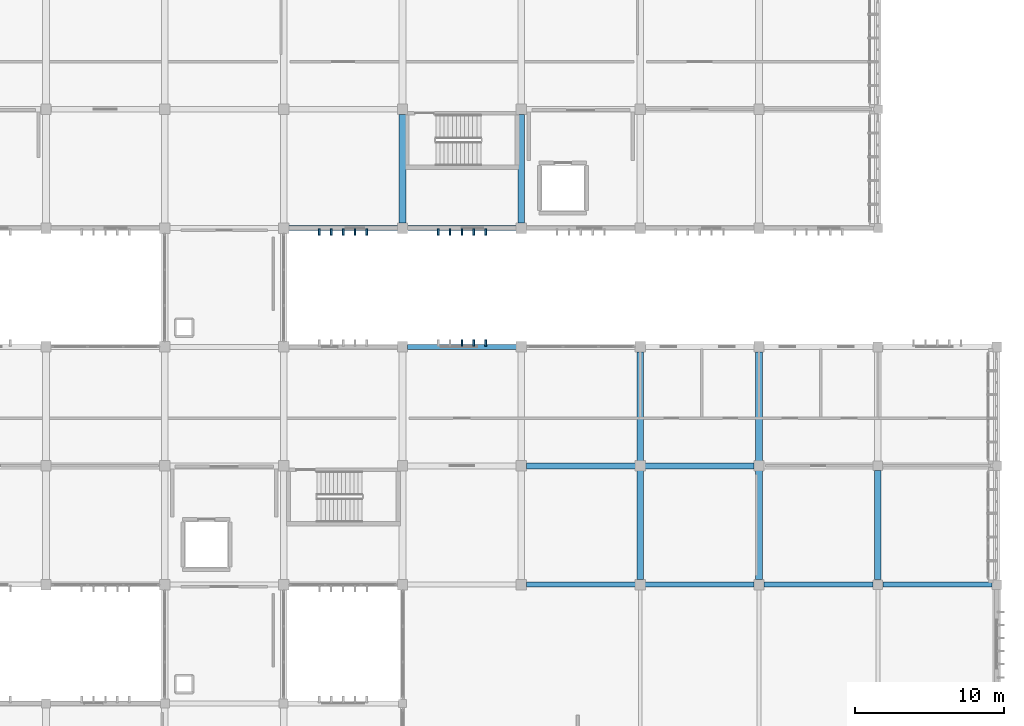
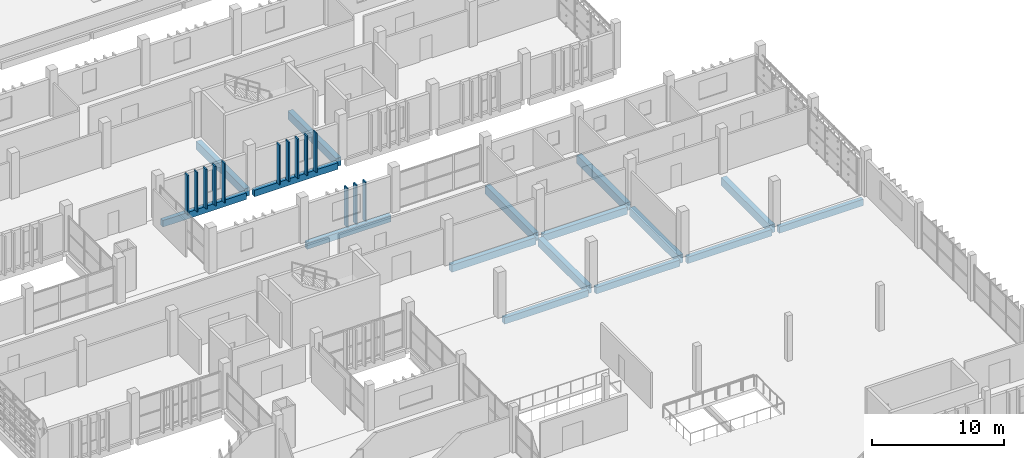
# One storey, part 61 of 137: 16 beams, 13 members.
"""IFC4 building model written with IfcOpenShell, lengths in metres."""

from ifc_helpers import new_model, si_unit, direction, frame, origin, origin_2d, place, context, subcontext, project, spatial, rectangle, extrude, material, material_profile, profile_set, type_object, element, save


model = new_model("IFC4")

# Units and contexts
model_context = context("Model", 3, precision=1e-05, world=origin(), true_north=direction((0.0, 1.0)))
body_context = subcontext(model_context, "Body", "Model", "MODEL_VIEW")
ifc_project = project(units=[si_unit("LENGTHUNIT", "METRE"), si_unit("AREAUNIT", "SQUARE_METRE"), si_unit("VOLUMEUNIT", "CUBIC_METRE"), si_unit("PLANEANGLEUNIT", "RADIAN"), si_unit("MASSUNIT", "GRAM", prefix="KILO")], contexts=[model_context])

# Site, building, storey
site_placement = place(None, origin())
site = spatial("IfcSite", under=ifc_project, at=site_placement, CompositionType="ELEMENT")
building_placement = place(site_placement, origin())
building = spatial("IfcBuilding", under=site, at=building_placement, Name="Jelvoka-Kovrelna Polytechnic", CompositionType="ELEMENT")
storey_placement = place(building_placement, frame((0.0, 0.0, 9.60009765625)))
storey = spatial("IfcBuildingStorey", under=building, at=storey_placement, Name="L03", CompositionType="ELEMENT", Elevation=9.60009765625)

# Beams
ifc_material_1 = material(Name="Concrete C40/50", Category="concrete")
ifc_material_profile_1 = material_profile(ifc_material_1, rectangle(XDim=0.39990234375, YDim=0.64990234375, at=origin_2d()), Name="RC 400x650")
ifc_profile_set_1 = profile_set([ifc_material_profile_1], Name="Concrete C40/50")
beam_type_1 = type_object("IfcBeamType", Name="Beam_RC_400x650", PredefinedType="BEAM", material=ifc_profile_set_1)
for number, where, z_axis, x_axis, name in (
    (1, (168.330078125, 40.0, -0.590087890625), (1.0, 0.0, 0.0), (0.0, 1.0, 0.0), "L03 beam 0971"),
    (2, (176.330078125, 40.0, -0.590087890625), (1.0, 0.0, 0.0), (0.0, 1.0, 0.0), "L03 beam 0972"),
):
    element("IfcBeam", number, at=place(storey_placement, frame(where, z_axis=z_axis, x_axis=x_axis)), inside=storey, type_object=beam_type_1, Name=name, PredefinedType="BEAM", context=body_context, shape_type="SweptSolid", body=[
        extrude(rectangle(XDim=0.39990234375, YDim=0.64990234375, at=origin_2d()), origin(), (0.0, 0.0, 1.0), 7.33984375),
    ])
ifc_material_2 = material(Name="Concrete C40/50", Category="concrete")
ifc_material_profile_2 = material_profile(ifc_material_2, rectangle(XDim=0.449951171875, YDim=0.75, at=origin_2d()), Name="RC 450x750")
ifc_profile_set_2 = profile_set([ifc_material_profile_2], Name="Concrete C40/50")
beam_type_2 = type_object("IfcBeamType", Name="Beam_RC_450x750", PredefinedType="BEAM", material=ifc_profile_set_2)
for number, where, z_axis, x_axis, name in (
    (3, (176.0, 32.330078125, -0.64013671875), (0.0, 1.0, 0.0), (-1.0, 0.0, 0.0), "L03 beam 0996"),
    (4, (176.0, 40.330078125, -0.64013671875), (0.0, 1.0, 0.0), (-1.0, 0.0, 0.0), "L03 beam 0997"),
    (5, (184.0, 32.330078125, -0.64013671875), (0.0, 1.0, 0.0), (-1.0, 0.0, 0.0), "L03 beam 0998"),
    (6, (184.0, 40.330078125, -0.64013671875), (0.0, 1.0, 0.0), (-1.0, 0.0, 0.0), "L03 beam 0999"),
    (7, (192.0, 32.330078125, -0.64013671875), (0.0, 1.0, 0.0), (-1.0, 0.0, 0.0), "L03 beam 1000"),
):
    element("IfcBeam", number, at=place(storey_placement, frame(where, z_axis=z_axis, x_axis=x_axis)), inside=storey, type_object=beam_type_2, Name=name, PredefinedType="BEAM", context=body_context, shape_type="SweptSolid", body=[
        extrude(rectangle(XDim=0.449951171875, YDim=0.75, at=origin_2d()), origin(), (0.0, 0.0, 1.0), 7.33984375),
    ])
for number, where, z_axis, x_axis, name in (
    (8, (160.0, 56.35498046875, -0.64013671875), (0.0, 1.0, 0.0), (-1.0, 0.0, 0.0), "L03 beam 1078"),
    (9, (168.0, 56.35498046875, -0.64013671875), (0.0, 1.0, 0.0), (-1.0, 0.0, 0.0), "L03 beam 1080"),
):
    element("IfcBeam", number, at=place(storey_placement, frame(where, z_axis=z_axis, x_axis=x_axis)), inside=storey, type_object=beam_type_2, Name=name, PredefinedType="BEAM", context=body_context, shape_type="SweptSolid", body=[
        extrude(rectangle(XDim=0.449951171875, YDim=0.75, at=origin_2d()), origin(), (0.0, 0.0, 1.0), 7.2900390625),
    ])

# Members
ifc_material_3 = material(Name="Precast concrete C40/50", Category="concrete")
ifc_material_profile_3 = material_profile(ifc_material_3, rectangle(XDim=0.1201171875, YDim=0.449951171875, at=origin_2d()), Name="PC 120x450")
ifc_profile_set_3 = profile_set([ifc_material_profile_3], Name="Precast concrete C40/50")
member_type = type_object("IfcMemberType", Name="Louvre_Fin_120x450", PredefinedType="USERDEFINED", material=ifc_profile_set_3)
for number, where, z_axis, x_axis, name in (
    (10, (164.0, 48.264892578125, -0.27001953125), (0.0, 0.0, 1.0), (1.0, 0.0, 0.0), "L03 B2E north vertical solar louvre fin 0963"),
    (11, (164.800048828125, 48.264892578125, -0.27001953125), (0.0, 0.0, 1.0), (1.0, 0.0, 0.0), "L03 B2E north vertical solar louvre fin 0964"),
    (12, (165.60009765625, 48.264892578125, -0.27001953125), (0.0, 0.0, 1.0), (1.0, 0.0, 0.0), "L03 B2E north vertical solar louvre fin 0965"),
    (13, (154.39990234375, 55.735107421875, -0.27001953125), (0.0, 0.0, 1.0), (1.0, 0.0, 0.0), "L03 B3 south vertical solar louvre fin 1571"),
    (14, (155.199951171875, 55.735107421875, -0.27001953125), (0.0, 0.0, 1.0), (1.0, 0.0, 0.0), "L03 B3 south vertical solar louvre fin 1572"),
    (15, (156.0, 55.735107421875, -0.27001953125), (0.0, 0.0, 1.0), (1.0, 0.0, 0.0), "L03 B3 south vertical solar louvre fin 1573"),
    (16, (156.800048828125, 55.735107421875, -0.27001953125), (0.0, 0.0, 1.0), (1.0, 0.0, 0.0), "L03 B3 south vertical solar louvre fin 1574"),
    (17, (157.60009765625, 55.735107421875, -0.27001953125), (0.0, 0.0, 1.0), (1.0, 0.0, 0.0), "L03 B3 south vertical solar louvre fin 1575"),
    (18, (162.39990234375, 55.735107421875, -0.27001953125), (0.0, 0.0, 1.0), (1.0, 0.0, 0.0), "L03 B3 south vertical solar louvre fin 1581"),
    (19, (163.199951171875, 55.735107421875, -0.27001953125), (0.0, 0.0, 1.0), (1.0, 0.0, 0.0), "L03 B3 south vertical solar louvre fin 1582"),
    (20, (164.0, 55.735107421875, -0.27001953125), (0.0, 0.0, 1.0), (1.0, 0.0, 0.0), "L03 B3 south vertical solar louvre fin 1583"),
    (21, (164.800048828125, 55.735107421875, -0.27001953125), (0.0, 0.0, 1.0), (1.0, 0.0, 0.0), "L03 B3 south vertical solar louvre fin 1584"),
    (22, (165.60009765625, 55.735107421875, -0.27001953125), (0.0, 0.0, 1.0), (1.0, 0.0, 0.0), "L03 B3 south vertical solar louvre fin 1585"),
):
    element("IfcMember", number, at=place(storey_placement, frame(where, z_axis=z_axis, x_axis=x_axis)), inside=storey, type_object=member_type, Name=name, ObjectType="SUNSHADE", PredefinedType="USERDEFINED", context=body_context, shape_type="SweptSolid", body=[
        extrude(rectangle(XDim=0.1201171875, YDim=0.449951171875, at=origin_2d()), origin(), (0.0, 0.0, 1.0), 3.64501953125),
    ])

# Beams
ifc_material_4 = material(Name="Concrete C40/50", Category="concrete")
ifc_material_profile_4 = material_profile(ifc_material_4, rectangle(XDim=0.35009765625, YDim=0.60009765625, at=origin_2d()), Name="RC 350x600")
ifc_profile_set_4 = profile_set([ifc_material_profile_4], Name="Concrete C40/50")
beam_type_3 = type_object("IfcBeamType", Name="Spandrel_RC_350x600", PredefinedType="SPANDREL", material=ifc_profile_set_4)
for number, where, z_axis, x_axis, name in (
    (23, (168.330078125, 32.0, -0.585205078125), (1.0, 0.0, 0.0), (0.0, 1.0, 0.0), "L03 beam 0223"),
    (24, (176.330078125, 32.0, -0.585205078125), (1.0, 0.0, 0.0), (0.0, 1.0, 0.0), "L03 beam 0226"),
    (25, (184.330078125, 32.0, -0.585205078125), (1.0, 0.0, 0.0), (0.0, 1.0, 0.0), "L03 beam 0229"),
    (26, (192.330078125, 32.0, -0.585205078125), (1.0, 0.0, 0.0), (0.0, 1.0, 0.0), "L03 beam 0232"),
    (27, (160.330078125, 48.0, -0.565185546875), (1.0, 0.0, 0.0), (0.0, 1.0, 0.0), "L03 beam 0979"),
):
    element("IfcBeam", number, at=place(storey_placement, frame(where, z_axis=z_axis, x_axis=x_axis)), inside=storey, type_object=beam_type_3, Name=name, PredefinedType="SPANDREL", context=body_context, shape_type="SweptSolid", body=[
        extrude(rectangle(XDim=0.35009765625, YDim=0.60009765625, at=origin_2d()), origin(), (0.0, 0.0, 1.0), 7.33984375),
    ])
for number, where, z_axis, x_axis, name in (
    (28, (152.35498046875, 56.0, -0.565185546875), (1.0, 0.0, 0.0), (0.0, 1.0, 0.0), "L03 beam 1045"),
    (29, (160.35498046875, 56.0, -0.565185546875), (1.0, 0.0, 0.0), (0.0, 1.0, 0.0), "L03 beam 1046"),
):
    element("IfcBeam", number, at=place(storey_placement, frame(where, z_axis=z_axis, x_axis=x_axis)), inside=storey, type_object=beam_type_3, Name=name, PredefinedType="SPANDREL", context=body_context, shape_type="SweptSolid", body=[
        extrude(rectangle(XDim=0.35009765625, YDim=0.60009765625, at=origin_2d()), origin(), (0.0, 0.0, 1.0), 7.2900390625),
    ])

save(model, "model.ifc")
